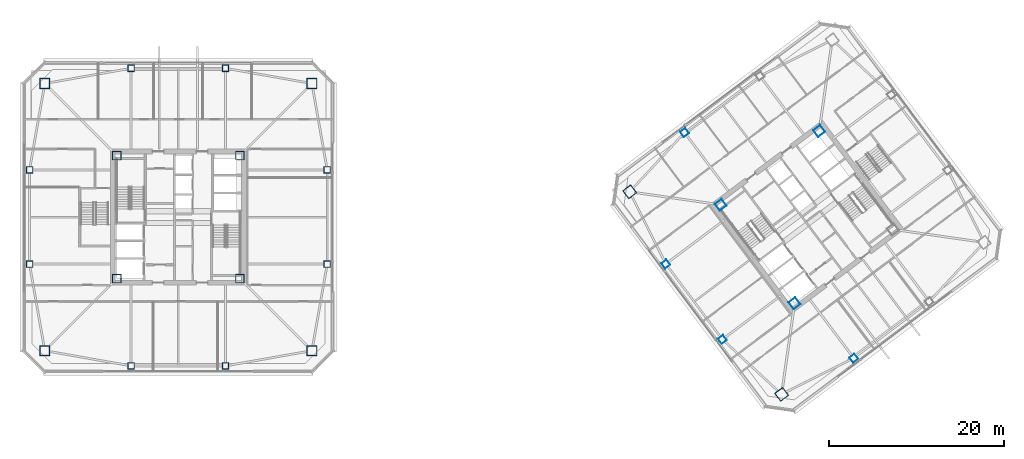
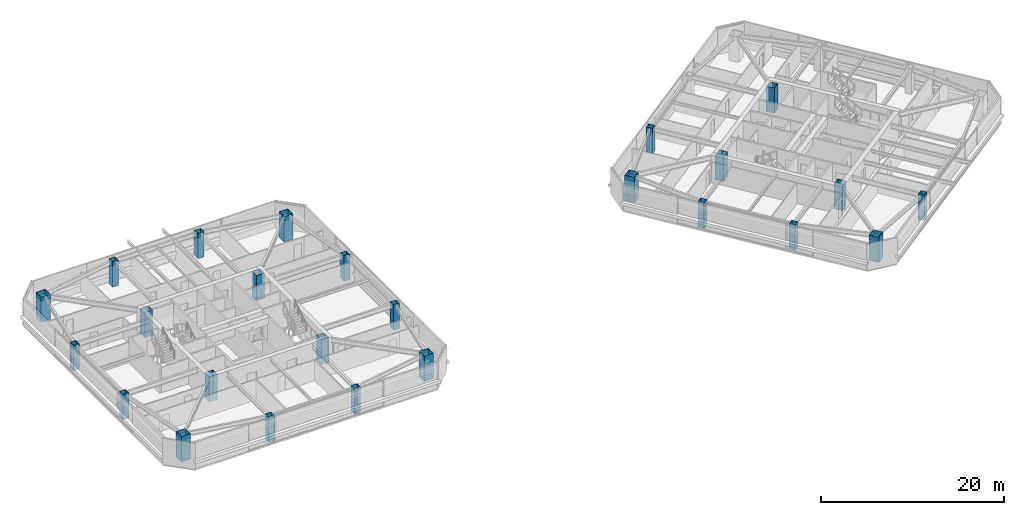
# One storey, part 1 of 42: 25 columns.
"""IFC4 building model written with IfcOpenShell, lengths in metres."""

from ifc_helpers import new_model, si_unit, direction, frame, origin, origin_2d, place, context, subcontext, project, spatial, hollow_rectangle, extrude, material, material_profile, profile_set, type_object, element, save


model = new_model("IFC4")

# Units and contexts
model_context = context("Model", 3, precision=1e-05, world=origin(), true_north=direction((0.0, 1.0)))
body_context = subcontext(model_context, "Body", "Model", "MODEL_VIEW")
ifc_project = project(units=[si_unit("LENGTHUNIT", "METRE"), si_unit("AREAUNIT", "SQUARE_METRE"), si_unit("VOLUMEUNIT", "CUBIC_METRE"), si_unit("PLANEANGLEUNIT", "RADIAN"), si_unit("MASSUNIT", "GRAM", prefix="KILO")], contexts=[model_context])

# Site, building, storey
site_placement = place(None, origin())
site = spatial("IfcSite", under=ifc_project, at=site_placement, CompositionType="ELEMENT")
building_placement = place(site_placement, origin())
building = spatial("IfcBuilding", under=site, at=building_placement, Name="Tashvorn Skyway Center", CompositionType="ELEMENT")
storey_placement = place(building_placement, frame((0.0, 0.0, 164.10009765625)))
storey = spatial("IfcBuildingStorey", under=building, at=storey_placement, Name="L44", CompositionType="ELEMENT", Elevation=164.10009765625)

# Columns
ifc_material = material(Name="Steel ASTM A572 Grade 50", Category="steel")
ifc_material_profile_1 = material_profile(ifc_material, hollow_rectangle(XDim=1.0, YDim=1.0, WallThickness=0.0400390625, at=origin_2d()), Name="BOX1000x1000x40")
ifc_profile_set_1 = profile_set([ifc_material_profile_1], Name="Steel ASTM A572 Grade 50")
column_type_1 = type_object("IfcColumnType", Name="COL-BOX1000x1000x40", PredefinedType="COLUMN", material=ifc_profile_set_1)
for number, where, z_axis, x_axis, name in (
    (1, (34.949951171875, 24.949951171875, 0.0), (0.0, 0.0, 1.0), (1.0, 0.0, 0.0), "Tower 1 L44 Core Corner Column CC-SW"),
    (2, (49.050048828125, 24.949951171875, 0.0), (0.0, 0.0, 1.0), (1.0, 0.0, 0.0), "Tower 1 L44 Core Corner Column CC-SE"),
    (3, (49.050048828125, 39.050048828125, 0.0), (0.0, 0.0, 1.0), (1.0, 0.0, 0.0), "Tower 1 L44 Core Corner Column CC-NE"),
    (4, (34.949951171875, 39.050048828125, 0.0), (0.0, 0.0, 1.0), (1.0, 0.0, 0.0), "Tower 1 L44 Core Corner Column CC-NW"),
    (5, (112.590087890625, 22.1298828125, 0.0), (0.0, 0.0, 1.0), (0.799999996291, 0.600000004945, 0.0), "Tower 2 L44 Core Corner Column CC-SW"),
    (6, (115.409912109375, 41.8701171875, 0.0), (0.0, 0.0, 1.0), (0.799999996291, 0.600000004945, 0.0), "Tower 2 L44 Core Corner Column CC-NE"),
    (7, (104.1298828125, 33.409912109375, 0.0), (0.0, 0.0, 1.0), (0.799999996291, 0.600000004945, 0.0), "Tower 2 L44 Core Corner Column CC-NW"),
):
    element("IfcColumn", number, at=place(storey_placement, frame(where, z_axis=z_axis, x_axis=x_axis)), inside=storey, type_object=column_type_1, Name=name, PredefinedType="COLUMN", context=body_context, shape_type="SweptSolid", body=[
        extrude(hollow_rectangle(XDim=1.0, YDim=1.0, WallThickness=0.0400390625, at=origin_2d()), origin(), (0.0, 0.0, 1.0), 3.369873046875),
    ])
ifc_material_profile_2 = material_profile(ifc_material, hollow_rectangle(XDim=1.14990234375, YDim=1.14990234375, WallThickness=0.044921875, at=origin_2d()), Name="BOX1150x1150x45")
ifc_profile_set_2 = profile_set([ifc_material_profile_2], Name="Steel ASTM A572 Grade 50")
column_type_2 = type_object("IfcColumnType", Name="COL-BOX1150x1150x45", PredefinedType="COLUMN", material=ifc_profile_set_2)
for number, where, z_axis, x_axis, name in (
    (8, (26.699951171875, 16.699951171875, 0.0), (0.0, 0.0, 1.0), (1.0, 0.0, 0.0), "Tower 1 L44 Mega-Column MC-SW"),
    (9, (57.300048828125, 16.699951171875, 0.0), (0.0, 0.0, 1.0), (1.0, 0.0, 0.0), "Tower 1 L44 Mega-Column MC-SE"),
    (10, (57.300048828125, 47.300048828125, 0.0), (0.0, 0.0, 1.0), (1.0, 0.0, 0.0), "Tower 1 L44 Mega-Column MC-NE"),
    (11, (26.699951171875, 47.300048828125, 0.0), (0.0, 0.0, 1.0), (1.0, 0.0, 0.0), "Tower 1 L44 Mega-Column MC-NW"),
    (12, (111.10009765625, 11.699951171875, 0.0), (0.0, 0.0, 1.0), (0.799999996291, 0.600000004945, 0.0), "Tower 2 L44 Mega-Column MC-SW"),
    (13, (93.699951171875, 34.89990234375, 0.0), (0.0, 0.0, 1.0), (0.799999996291, 0.600000004945, 0.0), "Tower 2 L44 Mega-Column MC-NW"),
):
    element("IfcColumn", number, at=place(storey_placement, frame(where, z_axis=z_axis, x_axis=x_axis)), inside=storey, type_object=column_type_2, Name=name, PredefinedType="COLUMN", context=body_context, shape_type="SweptSolid", body=[
        extrude(hollow_rectangle(XDim=1.14990234375, YDim=1.14990234375, WallThickness=0.044921875, at=origin_2d()), origin(), (0.0, 0.0, 1.0), 3.369873046875),
    ])
ifc_material_profile_3 = material_profile(ifc_material, hollow_rectangle(XDim=0.75, YDim=0.75, WallThickness=0.031982421875, at=origin_2d()), Name="BOX750x750x32")
ifc_profile_set_3 = profile_set([ifc_material_profile_3], Name="Steel ASTM A572 Grade 50")
column_type_3 = type_object("IfcColumnType", Name="COL-BOX750x750x32", PredefinedType="COLUMN", material=ifc_profile_set_3)
for number, where, z_axis, x_axis, name in (
    (14, (36.60009765625, 14.949951171875, 0.0), (0.0, 0.0, 1.0), (1.0, 0.0, 0.0), "Tower 1 L44 Perimeter Column FC-S1"),
    (15, (47.39990234375, 14.949951171875, 0.0), (0.0, 0.0, 1.0), (1.0, 0.0, 0.0), "Tower 1 L44 Perimeter Column FC-S2"),
    (16, (59.050048828125, 26.60009765625, 0.0), (0.0, 0.0, 1.0), (1.0, 0.0, 0.0), "Tower 1 L44 Perimeter Column FC-E1"),
    (17, (59.050048828125, 37.39990234375, 0.0), (0.0, 0.0, 1.0), (1.0, 0.0, 0.0), "Tower 1 L44 Perimeter Column FC-E2"),
    (18, (47.39990234375, 49.050048828125, 0.0), (0.0, 0.0, 1.0), (1.0, 0.0, 0.0), "Tower 1 L44 Perimeter Column FC-N1"),
    (19, (36.60009765625, 49.050048828125, 0.0), (0.0, 0.0, 1.0), (1.0, 0.0, 0.0), "Tower 1 L44 Perimeter Column FC-N2"),
    (20, (24.949951171875, 37.39990234375, 0.0), (0.0, 0.0, 1.0), (1.0, 0.0, 0.0), "Tower 1 L44 Perimeter Column FC-W1"),
    (21, (24.949951171875, 26.60009765625, 0.0), (0.0, 0.0, 1.0), (1.0, 0.0, 0.0), "Tower 1 L44 Perimeter Column FC-W2"),
    (22, (119.3701171875, 15.840087890625, 0.0), (0.0, 0.0, 1.0), (0.799999996291, 0.600000004945, 0.0), "Tower 2 L44 Perimeter Column FC-S1"),
    (23, (99.989990234375, 41.679931640625, 0.0), (0.0, 0.0, 1.0), (0.799999996291, 0.600000004945, 0.0), "Tower 2 L44 Perimeter Column FC-N2"),
    (24, (97.840087890625, 26.6298828125, 0.0), (0.0, 0.0, 1.0), (0.799999996291, 0.600000004945, 0.0), "Tower 2 L44 Perimeter Column FC-W1"),
    (25, (104.320068359375, 17.989990234375, 0.0), (0.0, 0.0, 1.0), (0.799999996291, 0.600000004945, 0.0), "Tower 2 L44 Perimeter Column FC-W2"),
):
    element("IfcColumn", number, at=place(storey_placement, frame(where, z_axis=z_axis, x_axis=x_axis)), inside=storey, type_object=column_type_3, Name=name, PredefinedType="COLUMN", context=body_context, shape_type="SweptSolid", body=[
        extrude(hollow_rectangle(XDim=0.75, YDim=0.75, WallThickness=0.031982421875, at=origin_2d()), origin(), (0.0, 0.0, 1.0), 3.369873046875),
    ])

save(model, "model.ifc")
